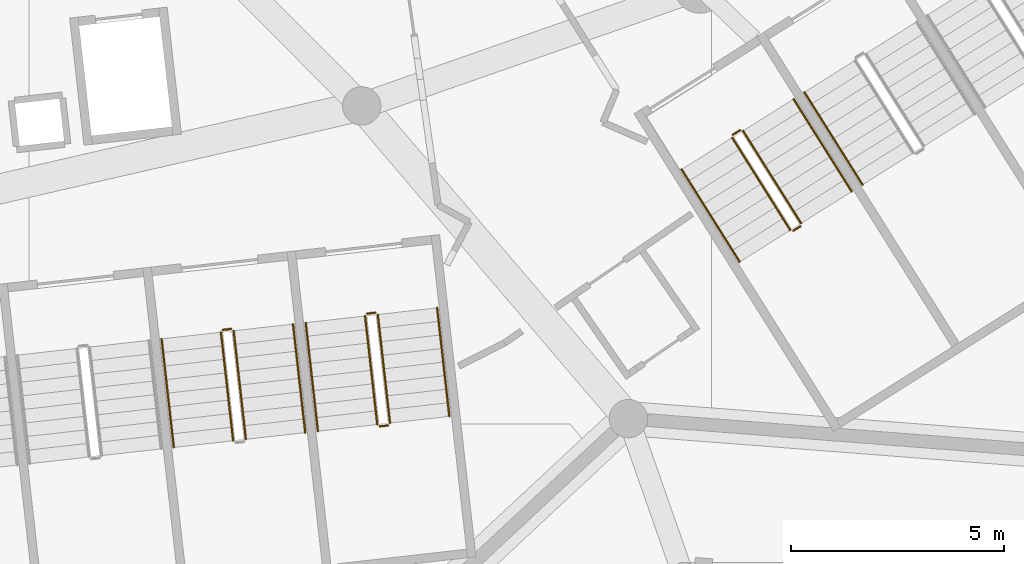
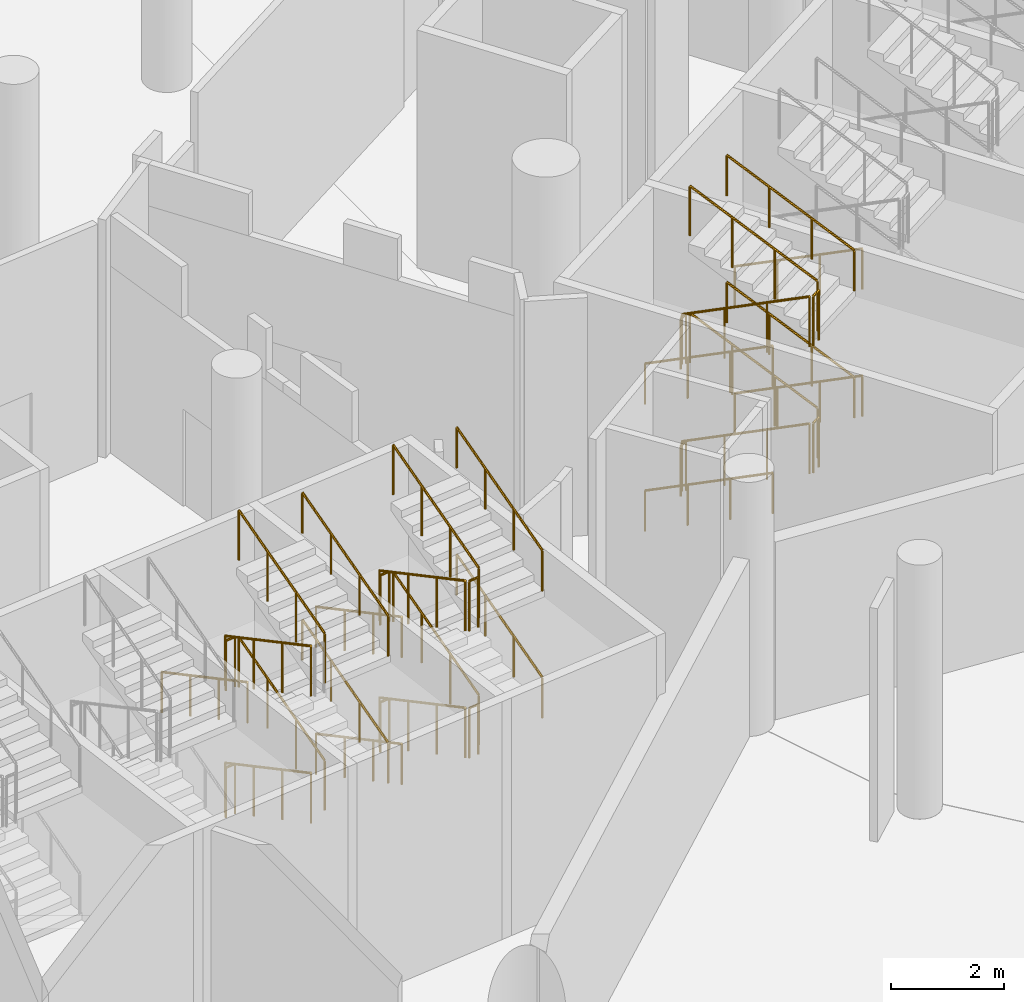
# One storey, part 239 of 271: 35 railings.
"""IFC4 building model written with IfcOpenShell, lengths in metres."""

import ifcopenshell
import ifcopenshell.guid

model = None  # the IFC model being written
_history = None  # IfcOwnerHistory: only IFC2X3 demands one
_inside = {}  # id of a spatial element -> (the spatial element, [elements in it])
_under = {}  # id of a project, library or spatial element -> (it, [spatial elements below it])
_declared = {}  # id of a project -> (the project, [libraries it declares])
_typed = {}  # id of a type object -> (the type object, [elements of that type])
_made_of = {}  # id of a material, layer set ... -> (it, [elements and type objects made of it])


def new_model(schema):
    """Start an empty IFC model of exactly this schema.

    Asked for "IFC4X3", IfcOpenShell would pick the latest addendum, in which some entities
    have other attributes; the version numbers below select the first issue.
    IFC2X3 requires an IfcOwnerHistory on every rooted entity: one is made here for all.
    """
    global model, _history
    if schema == "IFC4X3":
        model = ifcopenshell.file(schema_version=(4, 3, 0, 0))
    else:
        model = ifcopenshell.file(schema=schema)
    _inside.clear()
    _under.clear()
    _declared.clear()
    _typed.clear()
    _made_of.clear()
    _history = None
    if model.schema == "IFC2X3":
        org = make("IfcOrganization", Name="unknown")
        user = make(
            "IfcPersonAndOrganization",
            ThePerson=make("IfcPerson", FamilyName="unknown"),
            TheOrganization=org,
        )
        app = make(
            "IfcApplication",
            ApplicationDeveloper=org,
            Version="unknown",
            ApplicationFullName="unknown",
            ApplicationIdentifier="unknown",
        )
        _history = make(
            "IfcOwnerHistory",
            OwningUser=user,
            OwningApplication=app,
            ChangeAction="ADDED",
            CreationDate=0,
        )
    return model


def make(cls, **values):
    """One entity of the class cls with the attributes given. An attribute that is None is left unset."""
    return model.create_entity(
        cls, **{name: value for name, value in values.items() if value is not None}
    )


def rooted(cls, **values):
    """An entity with a GlobalId (a new one), such as an element, a storey or a relation."""
    return make(cls, GlobalId=ifcopenshell.guid.new(), OwnerHistory=_history, **values)


def si_unit(unit_type, name, prefix=None):
    """IfcSIUnit, for example si_unit("LENGTHUNIT", "METRE", prefix="MILLI")."""
    return make("IfcSIUnit", UnitType=unit_type, Prefix=prefix, Name=name)


def assignment(units):
    """IfcUnitAssignment: the units of a project."""
    return None if units is None else make("IfcUnitAssignment", Units=units)


def point(xyz):
    """IfcCartesianPoint."""
    return None if xyz is None else make("IfcCartesianPoint", Coordinates=xyz)


def direction(xyz):
    """IfcDirection."""
    return None if xyz is None else make("IfcDirection", DirectionRatios=xyz)


def frame(location, z_axis=None, x_axis=None):
    """IfcAxis2Placement3D, a coordinate frame: its origin and axes. An axis left out is left unset."""
    return make(
        "IfcAxis2Placement3D",
        Location=point(location),
        Axis=direction(z_axis),
        RefDirection=direction(x_axis),
    )


def frame_2d(location, x_axis=None):
    """IfcAxis2Placement2D, a coordinate frame in the plane: its origin and x axis."""
    return make(
        "IfcAxis2Placement2D", Location=point(location), RefDirection=direction(x_axis)
    )


def origin():
    """The frame at (0, 0, 0) with its axes left unset."""
    return frame((0.0, 0.0, 0.0))


def origin_2d():
    """The frame at (0, 0) in the plane with its x axis left unset."""
    return frame_2d((0.0, 0.0))


def place(relative_to, where):
    """IfcLocalPlacement: puts the frame where relative to a parent placement (None: the world)."""
    return make(
        "IfcLocalPlacement", PlacementRelTo=relative_to, RelativePlacement=where
    )


def context(
    kind, dimensions, precision=None, world=None, true_north=None, identifier=None
):
    """IfcGeometricRepresentationContext, for example the 3D "Model" context."""
    return make(
        "IfcGeometricRepresentationContext",
        ContextIdentifier=identifier,
        ContextType=kind,
        CoordinateSpaceDimension=dimensions,
        Precision=precision,
        WorldCoordinateSystem=world,
        TrueNorth=true_north,
    )


def subcontext(parent, identifier, kind, view, scale=None):
    """IfcGeometricRepresentationSubContext, for example "Body" below "Model"."""
    return make(
        "IfcGeometricRepresentationSubContext",
        ContextIdentifier=identifier,
        ContextType=kind,
        ParentContext=parent,
        TargetScale=scale,
        TargetView=view,
    )


def project(units=None, contexts=None):
    """IfcProject with its units and contexts."""
    return rooted(
        "IfcProject",
        Name="project",
        RepresentationContexts=contexts,
        UnitsInContext=assignment(units),
    )


def spatial(cls, under=None, at=None, **own):
    """A site, building, storey or space (cls), placed at a placement, below another one or the project."""
    s = rooted(cls, ObjectPlacement=at, **own)
    if under is not None:
        _under.setdefault(under.id(), (under, []))[1].append(s)
    return s


def profile(cls, at=None, kind="AREA", **sizes):
    """A parametric profile (cls). Its sizes go by their IFC names, for example OverallWidth=200.0."""
    return make(cls, ProfileType=kind, Position=at, **sizes)


def circle(**sizes):
    """IfcCircleProfileDef."""
    return profile("IfcCircleProfileDef", **sizes)


def extrude(swept, where, along, depth):
    """IfcExtrudedAreaSolid: the profile swept, set in the frame where, extruded along a direction by depth."""
    return make(
        "IfcExtrudedAreaSolid",
        SweptArea=swept,
        Position=where,
        ExtrudedDirection=direction(along),
        Depth=depth,
    )


def shape(context_of_items, identifier, shape_type, items):
    """IfcShapeRepresentation: the items that make up one representation, for example the "Body"."""
    return make(
        "IfcShapeRepresentation",
        ContextOfItems=context_of_items,
        RepresentationIdentifier=identifier,
        RepresentationType=shape_type,
        Items=items,
    )


def material(Name=None, Category=None):
    """IfcMaterial."""
    return make("IfcMaterial", Name=Name, Category=Category)


def made_of(thing, what):
    """Note that an element or type object is made of a material, layer set ...; save() writes the relation."""
    if what is not None:
        _made_of.setdefault(what.id(), (what, []))[1].append(thing)
    return thing


def type_object(cls, material=None, **own):
    """A type object (cls), such as IfcWallType, which elements share."""
    return made_of(rooted(cls, **own), material)


def element(
    cls,
    number,
    at=None,
    inside=None,
    cuts=None,
    type_object=None,
    material=None,
    context=None,
    identifier="Body",
    shape_type=None,
    held_by="IfcProductDefinitionShape",
    body=None,
    shapes=None,
    **own,
):
    """One element of the class cls, such as IfcWall. Its Tag is "e" and its number.

    at: its placement. inside: the storey or other place that contains it. cuts: it is an
    opening in that element (IfcRelVoidsElement). A single representation is given by context,
    identifier, shape_type and body (its items); several are given by shapes. held_by: the class
    of the entity that holds the representations. save() writes the other relations.
    """
    e = rooted(cls, Tag="e%d" % number, ObjectPlacement=at, **own)
    if body is not None:
        shapes = [shape(context, identifier, shape_type, body)]
    if shapes is not None:
        e.Representation = make(held_by, Representations=shapes)
    if inside is not None:
        _inside.setdefault(inside.id(), (inside, []))[1].append(e)
    if cuts is not None:
        rooted(
            "IfcRelVoidsElement", RelatingBuildingElement=cuts, RelatedOpeningElement=e
        )
    if type_object is not None:
        _typed.setdefault(type_object.id(), (type_object, []))[1].append(e)
    return made_of(e, material)


def aggregate(whole, parts):
    """IfcRelAggregates: a whole, such as a stair, and the parts it consists of."""
    return rooted("IfcRelAggregates", RelatingObject=whole, RelatedObjects=parts)


def save(model, path):
    """Write the relations noted so far, then the file.

    IfcRelAggregates (storeys below a building ...), IfcRelContainedInSpatialStructure (elements
    in a storey), IfcRelDefinesByType, IfcRelAssociatesMaterial and IfcRelDeclares: one each for
    every whole, place, type object, material and project.
    """
    for whole, parts in _under.values():
        aggregate(whole, parts)
    for where, things in _inside.values():
        rooted(
            "IfcRelContainedInSpatialStructure",
            RelatedElements=things,
            RelatingStructure=where,
        )
    for kind, things in _typed.values():
        rooted("IfcRelDefinesByType", RelatedObjects=things, RelatingType=kind)
    for what, things in _made_of.values():
        rooted("IfcRelAssociatesMaterial", RelatedObjects=things, RelatingMaterial=what)
    for by, libraries in _declared.values():
        rooted("IfcRelDeclares", RelatingContext=by, RelatedDefinitions=libraries)
    model.write(path)


model = new_model("IFC4")

# Units and contexts
model_context = context("Model", 3, precision=1e-05, world=origin(), true_north=direction((0.0, 1.0)))
body_context = subcontext(model_context, "Body", "Model", "MODEL_VIEW")
ifc_project = project(units=[si_unit("LENGTHUNIT", "METRE"), si_unit("AREAUNIT", "SQUARE_METRE"), si_unit("VOLUMEUNIT", "CUBIC_METRE"), si_unit("PLANEANGLEUNIT", "RADIAN"), si_unit("MASSUNIT", "GRAM", prefix="KILO")], contexts=[model_context])

# Site, building, storey
site_placement = place(None, origin())
site = spatial("IfcSite", under=ifc_project, at=site_placement, CompositionType="ELEMENT")
building_placement = place(site_placement, origin())
building = spatial("IfcBuilding", under=site, at=building_placement, Name="Meseta Stadium", CompositionType="ELEMENT")
storey_placement = place(building_placement, frame((0.0, 0.0, 6.5)))
storey = spatial("IfcBuildingStorey", under=building, at=storey_placement, Name="L01", CompositionType="ELEMENT", Elevation=6.5)

# Railings
ifc_material_1 = material(Name="Steel S355", Category="steel")
railing_type_1 = type_object("IfcRailingType", Name="Stair guard 1100", PredefinedType="GUARDRAIL", material=ifc_material_1)
railing_1_placement = place(storey_placement, frame((52.500244140625, -93.847900390625, 0.15283203125)))
element("IfcRailing", 1, at=railing_1_placement, inside=storey, type_object=railing_type_1, Name="ST103 L01 guard 1", PredefinedType="GUARDRAIL", context=body_context, shape_type="SweptSolid", body=[
    extrude(circle(Radius=0.02392578125, at=origin_2d()), frame((0.0, 0.0, 1.076171875), z_axis=(0.101036326981, -0.896761948158, 0.430824406188), x_axis=(0.993712761983, 0.111959576062, 0.0)), (0.0, 0.0, 1.0), 2.8369140625),
    extrude(circle(Radius=0.02099609375, at=origin_2d()), origin(), (0.0, 0.0, 1.0), 1.052001953125),
    extrude(circle(Radius=0.02099609375, at=origin_2d()), frame((0.095458984375, -0.847900390625, 0.407470703125)), (0.0, 0.0, 1.0), 1.052001953125),
    extrude(circle(Radius=0.02099609375, at=origin_2d()), frame((0.191162109375, -1.696044921875, 0.814697265625)), (0.0, 0.0, 1.0), 1.052001953125),
    extrude(circle(Radius=0.02099609375, at=origin_2d()), frame((0.28662109375, -2.5439453125, 1.22216796875)), (0.0, 0.0, 1.0), 1.052001953125),
])
railing_2_placement = place(storey_placement, frame((53.0849609375, -96.358154296875, 1.52783203125)))
element("IfcRailing", 2, at=railing_2_placement, inside=storey, type_object=railing_type_1, Name="ST103 L01 guard 3", PredefinedType="GUARDRAIL", context=body_context, shape_type="SweptSolid", body=[
    extrude(circle(Radius=0.02392578125, at=origin_2d()), frame((0.0, 0.0, 1.076171875), z_axis=(-0.101036326981, 0.896761948158, 0.430824406188), x_axis=(-0.993712761983, -0.111959576062, 0.0)), (0.0, 0.0, 1.0), 2.8369140625),
    extrude(circle(Radius=0.02099609375, at=origin_2d()), origin(), (0.0, 0.0, 1.0), 1.052001953125),
    extrude(circle(Radius=0.02099609375, at=origin_2d()), frame((-0.095458984375, 0.847900390625, 0.407470703125)), (0.0, 0.0, 1.0), 1.052001953125),
    extrude(circle(Radius=0.02099609375, at=origin_2d()), frame((-0.191162109375, 1.696044921875, 0.814697265625)), (0.0, 0.0, 1.0), 1.052001953125),
    extrude(circle(Radius=0.02099609375, at=origin_2d()), frame((-0.28662109375, 2.5439453125, 1.22216796875)), (0.0, 0.0, 1.0), 1.052001953125),
])
railing_3_placement = place(storey_placement, frame((52.54443359375, -93.792724609375, 2.75)))
element("IfcRailing", 3, at=railing_3_placement, inside=storey, type_object=railing_type_1, Name="ST103 L01 guard 4", PredefinedType="GUARDRAIL", context=body_context, shape_type="SweptSolid", body=[
    extrude(circle(Radius=0.02392578125, at=origin_2d()), frame((0.0, 0.0, 1.076171875), z_axis=(0.993673547442, 0.112307083986, 0.0), x_axis=(-0.112307083986, 0.993673547442, 0.0)), (0.0, 0.0, 1.0), 0.199951171875),
    extrude(circle(Radius=0.02099609375, at=origin_2d()), origin(), (0.0, 0.0, 1.0), 1.052001953125),
    extrude(circle(Radius=0.02099609375, at=origin_2d()), frame((0.19873046875, 0.0224609375, 0.0)), (0.0, 0.0, 1.0), 1.052001953125),
])
railing_4_placement = place(storey_placement, frame((52.500244140625, -93.847900390625, 2.90283203125)))
element("IfcRailing", 4, at=railing_4_placement, inside=storey, type_object=railing_type_1, Name="ST103 L01 guard 5", PredefinedType="GUARDRAIL", context=body_context, shape_type="SweptSolid", body=[
    extrude(circle(Radius=0.02392578125, at=origin_2d()), frame((0.0, 0.0, 1.076171875), z_axis=(0.101036326981, -0.896761948158, 0.430824406188), x_axis=(0.993712761983, 0.111959576062, 0.0)), (0.0, 0.0, 1.0), 2.8369140625),
    extrude(circle(Radius=0.02099609375, at=origin_2d()), origin(), (0.0, 0.0, 1.0), 1.052001953125),
    extrude(circle(Radius=0.02099609375, at=origin_2d()), frame((0.095458984375, -0.847900390625, 0.407470703125)), (0.0, 0.0, 1.0), 1.052001953125),
    extrude(circle(Radius=0.02099609375, at=origin_2d()), frame((0.191162109375, -1.696044921875, 0.814697265625)), (0.0, 0.0, 1.0), 1.052001953125),
    extrude(circle(Radius=0.02099609375, at=origin_2d()), frame((0.28662109375, -2.5439453125, 1.22216796875)), (0.0, 0.0, 1.0), 1.052001953125),
])
railing_5_placement = place(storey_placement, frame((53.0849609375, -96.358154296875, 4.27783203125)))
element("IfcRailing", 5, at=railing_5_placement, inside=storey, type_object=railing_type_1, Name="ST103 L01 guard 7", PredefinedType="GUARDRAIL", context=body_context, shape_type="SweptSolid", body=[
    extrude(circle(Radius=0.02392578125, at=origin_2d()), frame((0.0, 0.0, 1.076171875), z_axis=(-0.101036326981, 0.896761948158, 0.430824406188), x_axis=(-0.993712761983, -0.111959576062, 0.0)), (0.0, 0.0, 1.0), 2.8369140625),
    extrude(circle(Radius=0.02099609375, at=origin_2d()), origin(), (0.0, 0.0, 1.0), 1.052001953125),
    extrude(circle(Radius=0.02099609375, at=origin_2d()), frame((-0.095458984375, 0.847900390625, 0.407470703125)), (0.0, 0.0, 1.0), 1.052001953125),
    extrude(circle(Radius=0.02099609375, at=origin_2d()), frame((-0.191162109375, 1.696044921875, 0.814697265625)), (0.0, 0.0, 1.0), 1.052001953125),
    extrude(circle(Radius=0.02099609375, at=origin_2d()), frame((-0.28662109375, 2.5439453125, 1.22216796875)), (0.0, 0.0, 1.0), 1.052001953125),
])
railing_6_placement = place(storey_placement, frame((52.54443359375, -93.792724609375, 0.0)))
element("IfcRailing", 6, at=railing_6_placement, inside=storey, type_object=railing_type_1, Name="ST103 L01 guard 8", PredefinedType="GUARDRAIL", context=body_context, shape_type="SweptSolid", body=[
    extrude(circle(Radius=0.02392578125, at=origin_2d()), frame((0.0, 0.0, 1.076171875), z_axis=(0.993673547442, 0.112307083986, 0.0), x_axis=(-0.112307083986, 0.993673547442, 0.0)), (0.0, 0.0, 1.0), 0.199951171875),
    extrude(circle(Radius=0.02099609375, at=origin_2d()), origin(), (0.0, 0.0, 1.0), 1.052001953125),
    extrude(circle(Radius=0.02099609375, at=origin_2d()), frame((0.19873046875, 0.0224609375, 0.0)), (0.0, 0.0, 1.0), 1.052001953125),
])
railing_7_placement = place(storey_placement, frame((55.87890625, -93.46728515625, 0.15283203125)))
element("IfcRailing", 7, at=railing_7_placement, inside=storey, type_object=railing_type_1, Name="ST104 L01 guard 1", PredefinedType="GUARDRAIL", context=body_context, shape_type="SweptSolid", body=[
    extrude(circle(Radius=0.02392578125, at=origin_2d()), frame((0.0, 0.0, 1.076171875), z_axis=(0.101036326981, -0.896761948158, 0.430824406188), x_axis=(0.993712761983, 0.111959576062, 0.0)), (0.0, 0.0, 1.0), 2.8369140625),
    extrude(circle(Radius=0.02099609375, at=origin_2d()), origin(), (0.0, 0.0, 1.0), 1.052001953125),
    extrude(circle(Radius=0.02099609375, at=origin_2d()), frame((0.095458984375, -0.847900390625, 0.407470703125)), (0.0, 0.0, 1.0), 1.052001953125),
    extrude(circle(Radius=0.02099609375, at=origin_2d()), frame((0.191162109375, -1.696044921875, 0.814697265625)), (0.0, 0.0, 1.0), 1.052001953125),
    extrude(circle(Radius=0.02099609375, at=origin_2d()), frame((0.28662109375, -2.5439453125, 1.22216796875)), (0.0, 0.0, 1.0), 1.052001953125),
])
railing_8_placement = place(storey_placement, frame((56.220703125, -96.05517578125, 1.375)))
element("IfcRailing", 8, at=railing_8_placement, inside=storey, type_object=railing_type_1, Name="ST104 L01 guard 2", PredefinedType="GUARDRAIL", context=body_context, shape_type="SweptSolid", body=[
    extrude(circle(Radius=0.02392578125, at=origin_2d()), frame((0.0, 0.0, 1.076171875), z_axis=(0.993688916384, 0.112171018782, 0.0), x_axis=(-0.112171018782, 0.993688916384, 0.0)), (0.0, 0.0, 1.0), 0.2001953125),
    extrude(circle(Radius=0.02099609375, at=origin_2d()), origin(), (0.0, 0.0, 1.0), 1.052001953125),
    extrude(circle(Radius=0.02099609375, at=origin_2d()), frame((0.198974609375, 0.0224609375, 0.0)), (0.0, 0.0, 1.0), 1.052001953125),
])
railing_9_placement = place(storey_placement, frame((56.463623046875, -95.9775390625, 1.52783203125)))
element("IfcRailing", 9, at=railing_9_placement, inside=storey, type_object=railing_type_1, Name="ST104 L01 guard 3", PredefinedType="GUARDRAIL", context=body_context, shape_type="SweptSolid", body=[
    extrude(circle(Radius=0.02392578125, at=origin_2d()), frame((0.0, 0.0, 1.076171875), z_axis=(-0.101036326981, 0.896761948158, 0.430824406188), x_axis=(-0.993712761983, -0.111959576062, 0.0)), (0.0, 0.0, 1.0), 2.8369140625),
    extrude(circle(Radius=0.02099609375, at=origin_2d()), origin(), (0.0, 0.0, 1.0), 1.052001953125),
    extrude(circle(Radius=0.02099609375, at=origin_2d()), frame((-0.095458984375, 0.847900390625, 0.407470703125)), (0.0, 0.0, 1.0), 1.052001953125),
    extrude(circle(Radius=0.02099609375, at=origin_2d()), frame((-0.191162109375, 1.696044921875, 0.814697265625)), (0.0, 0.0, 1.0), 1.052001953125),
    extrude(circle(Radius=0.02099609375, at=origin_2d()), frame((-0.28662109375, 2.5439453125, 1.22216796875)), (0.0, 0.0, 1.0), 1.052001953125),
])
railing_10_placement = place(storey_placement, frame((55.923095703125, -93.411865234375, 2.75)))
element("IfcRailing", 10, at=railing_10_placement, inside=storey, type_object=railing_type_1, Name="ST104 L01 guard 4", PredefinedType="GUARDRAIL", context=body_context, shape_type="SweptSolid", body=[
    extrude(circle(Radius=0.02392578125, at=origin_2d()), frame((0.0, 0.0, 1.076171875), z_axis=(0.993809063983, 0.111101504696, 0.0), x_axis=(-0.111101504696, 0.993809063983, 0.0)), (0.0, 0.0, 1.0), 0.199951171875),
    extrude(circle(Radius=0.02099609375, at=origin_2d()), origin(), (0.0, 0.0, 1.0), 1.052001953125),
    extrude(circle(Radius=0.02099609375, at=origin_2d()), frame((0.19873046875, 0.022216796875, 0.0)), (0.0, 0.0, 1.0), 1.052001953125),
])
railing_11_placement = place(storey_placement, frame((55.87890625, -93.46728515625, 2.90283203125)))
element("IfcRailing", 11, at=railing_11_placement, inside=storey, type_object=railing_type_1, Name="ST104 L01 guard 5", PredefinedType="GUARDRAIL", context=body_context, shape_type="SweptSolid", body=[
    extrude(circle(Radius=0.02392578125, at=origin_2d()), frame((0.0, 0.0, 1.076171875), z_axis=(0.101036326981, -0.896761948158, 0.430824406188), x_axis=(0.993712761983, 0.111959576062, 0.0)), (0.0, 0.0, 1.0), 2.8369140625),
    extrude(circle(Radius=0.02099609375, at=origin_2d()), origin(), (0.0, 0.0, 1.0), 1.052001953125),
    extrude(circle(Radius=0.02099609375, at=origin_2d()), frame((0.095458984375, -0.847900390625, 0.407470703125)), (0.0, 0.0, 1.0), 1.052001953125),
    extrude(circle(Radius=0.02099609375, at=origin_2d()), frame((0.191162109375, -1.696044921875, 0.814697265625)), (0.0, 0.0, 1.0), 1.052001953125),
    extrude(circle(Radius=0.02099609375, at=origin_2d()), frame((0.28662109375, -2.5439453125, 1.22216796875)), (0.0, 0.0, 1.0), 1.052001953125),
])
railing_12_placement = place(storey_placement, frame((56.220703125, -96.05517578125, 4.125)))
element("IfcRailing", 12, at=railing_12_placement, inside=storey, type_object=railing_type_1, Name="ST104 L01 guard 6", PredefinedType="GUARDRAIL", context=body_context, shape_type="SweptSolid", body=[
    extrude(circle(Radius=0.02392578125, at=origin_2d()), frame((0.0, 0.0, 1.076171875), z_axis=(0.993688916384, 0.112171018782, 0.0), x_axis=(-0.112171018782, 0.993688916384, 0.0)), (0.0, 0.0, 1.0), 0.2001953125),
    extrude(circle(Radius=0.02099609375, at=origin_2d()), origin(), (0.0, 0.0, 1.0), 1.052001953125),
    extrude(circle(Radius=0.02099609375, at=origin_2d()), frame((0.198974609375, 0.0224609375, 0.0)), (0.0, 0.0, 1.0), 1.052001953125),
])
railing_13_placement = place(storey_placement, frame((56.463623046875, -95.9775390625, 4.27783203125)))
element("IfcRailing", 13, at=railing_13_placement, inside=storey, type_object=railing_type_1, Name="ST104 L01 guard 7", PredefinedType="GUARDRAIL", context=body_context, shape_type="SweptSolid", body=[
    extrude(circle(Radius=0.02392578125, at=origin_2d()), frame((0.0, 0.0, 1.076171875), z_axis=(-0.101036326981, 0.896761948158, 0.430824406188), x_axis=(-0.993712761983, -0.111959576062, 0.0)), (0.0, 0.0, 1.0), 2.8369140625),
    extrude(circle(Radius=0.02099609375, at=origin_2d()), origin(), (0.0, 0.0, 1.0), 1.052001953125),
    extrude(circle(Radius=0.02099609375, at=origin_2d()), frame((-0.095458984375, 0.847900390625, 0.407470703125)), (0.0, 0.0, 1.0), 1.052001953125),
    extrude(circle(Radius=0.02099609375, at=origin_2d()), frame((-0.191162109375, 1.696044921875, 0.814697265625)), (0.0, 0.0, 1.0), 1.052001953125),
    extrude(circle(Radius=0.02099609375, at=origin_2d()), frame((-0.28662109375, 2.5439453125, 1.22216796875)), (0.0, 0.0, 1.0), 1.052001953125),
])
railing_14_placement = place(storey_placement, frame((55.923095703125, -93.411865234375, 0.0)))
element("IfcRailing", 14, at=railing_14_placement, inside=storey, type_object=railing_type_1, Name="ST104 L01 guard 8", PredefinedType="GUARDRAIL", context=body_context, shape_type="SweptSolid", body=[
    extrude(circle(Radius=0.02392578125, at=origin_2d()), frame((0.0, 0.0, 1.076171875), z_axis=(0.993809063983, 0.111101504696, 0.0), x_axis=(-0.111101504696, 0.993809063983, 0.0)), (0.0, 0.0, 1.0), 0.199951171875),
    extrude(circle(Radius=0.02099609375, at=origin_2d()), origin(), (0.0, 0.0, 1.0), 1.052001953125),
    extrude(circle(Radius=0.02099609375, at=origin_2d()), frame((0.19873046875, 0.022216796875, 0.0)), (0.0, 0.0, 1.0), 1.052001953125),
])
railing_15_placement = place(storey_placement, frame((64.4853515625, -89.286865234375, 0.15283203125)))
element("IfcRailing", 15, at=railing_15_placement, inside=storey, type_object=railing_type_1, Name="ST105 L01 guard 1", PredefinedType="GUARDRAIL", context=body_context, shape_type="SweptSolid", body=[
    extrude(circle(Radius=0.02392578125, at=origin_2d()), frame((0.0, 0.0, 1.076171875), z_axis=(0.480058669713, -0.764152192252, 0.430830710036), x_axis=(0.846769111272, 0.53196059271, 0.0)), (0.0, 0.0, 1.0), 2.836669921875),
    extrude(circle(Radius=0.02099609375, at=origin_2d()), origin(), (0.0, 0.0, 1.0), 1.052001953125),
    extrude(circle(Radius=0.02099609375, at=origin_2d()), frame((0.453857421875, -0.72265625, 0.407470703125)), (0.0, 0.0, 1.0), 1.052001953125),
    extrude(circle(Radius=0.02099609375, at=origin_2d()), frame((0.907958984375, -1.445068359375, 0.814697265625)), (0.0, 0.0, 1.0), 1.052001953125),
    extrude(circle(Radius=0.02099609375, at=origin_2d()), frame((1.36181640625, -2.167724609375, 1.22216796875)), (0.0, 0.0, 1.0), 1.052001953125),
])
railing_16_placement = place(storey_placement, frame((65.916259765625, -91.47021484375, 1.375)))
element("IfcRailing", 16, at=railing_16_placement, inside=storey, type_object=railing_type_1, Name="ST105 L01 guard 2", PredefinedType="GUARDRAIL", context=body_context, shape_type="SweptSolid", body=[
    extrude(circle(Radius=0.02392578125, at=origin_2d()), frame((0.0, 0.0, 1.076171875), z_axis=(0.846966780732, 0.531645814745, 0.0), x_axis=(-0.531645814745, 0.846966780732, 0.0)), (0.0, 0.0, 1.0), 0.19970703125),
    extrude(circle(Radius=0.02099609375, at=origin_2d()), origin(), (0.0, 0.0, 1.0), 1.052001953125),
    extrude(circle(Radius=0.02099609375, at=origin_2d()), frame((0.169189453125, 0.106201171875, 0.0)), (0.0, 0.0, 1.0), 1.052001953125),
])
railing_17_placement = place(storey_placement, frame((66.101318359375, -91.294921875, 1.52783203125)))
element("IfcRailing", 17, at=railing_17_placement, inside=storey, type_object=railing_type_1, Name="ST105 L01 guard 3", PredefinedType="GUARDRAIL", context=body_context, shape_type="SweptSolid", body=[
    extrude(circle(Radius=0.02392578125, at=origin_2d()), frame((0.0, 0.0, 1.076171875), z_axis=(-0.480156468945, 0.764084805753, 0.430841241), x_axis=(-0.84669915639, -0.532071929883, 0.0)), (0.0, 0.0, 1.0), 2.836669921875),
    extrude(circle(Radius=0.02099609375, at=origin_2d()), origin(), (0.0, 0.0, 1.0), 1.052001953125),
    extrude(circle(Radius=0.02099609375, at=origin_2d()), frame((-0.4541015625, 0.722412109375, 0.407470703125)), (0.0, 0.0, 1.0), 1.052001953125),
    extrude(circle(Radius=0.02099609375, at=origin_2d()), frame((-0.907958984375, 1.445068359375, 0.814697265625)), (0.0, 0.0, 1.0), 1.052001953125),
    extrude(circle(Radius=0.02099609375, at=origin_2d()), frame((-1.362060546875, 2.16748046875, 1.22216796875)), (0.0, 0.0, 1.0), 1.052001953125),
])
railing_18_placement = place(storey_placement, frame((64.5009765625, -89.218017578125, 2.75)))
element("IfcRailing", 18, at=railing_18_placement, inside=storey, type_object=railing_type_1, Name="ST105 L01 guard 4", PredefinedType="GUARDRAIL", context=body_context, shape_type="SweptSolid", body=[
    extrude(circle(Radius=0.02392578125, at=origin_2d()), frame((0.0, 0.0, 1.076171875), z_axis=(0.846762178531, 0.531971628011, 0.0), x_axis=(-0.531971628011, 0.846762178531, 0.0)), (0.0, 0.0, 1.0), 0.2001953125),
    extrude(circle(Radius=0.02099609375, at=origin_2d()), origin(), (0.0, 0.0, 1.0), 1.052001953125),
    extrude(circle(Radius=0.02099609375, at=origin_2d()), frame((0.16943359375, 0.1064453125, 0.0)), (0.0, 0.0, 1.0), 1.052001953125),
])
railing_19_placement = place(storey_placement, frame((64.4853515625, -89.286865234375, 2.90283203125)))
element("IfcRailing", 19, at=railing_19_placement, inside=storey, type_object=railing_type_1, Name="ST105 L01 guard 5", PredefinedType="GUARDRAIL", context=body_context, shape_type="SweptSolid", body=[
    extrude(circle(Radius=0.02392578125, at=origin_2d()), frame((0.0, 0.0, 1.076171875), z_axis=(0.480058669713, -0.764152192252, 0.430830710036), x_axis=(0.846769111272, 0.53196059271, 0.0)), (0.0, 0.0, 1.0), 2.836669921875),
    extrude(circle(Radius=0.02099609375, at=origin_2d()), origin(), (0.0, 0.0, 1.0), 1.052001953125),
    extrude(circle(Radius=0.02099609375, at=origin_2d()), frame((0.453857421875, -0.72265625, 0.407470703125)), (0.0, 0.0, 1.0), 1.052001953125),
    extrude(circle(Radius=0.02099609375, at=origin_2d()), frame((0.907958984375, -1.445068359375, 0.814697265625)), (0.0, 0.0, 1.0), 1.052001953125),
    extrude(circle(Radius=0.02099609375, at=origin_2d()), frame((1.36181640625, -2.167724609375, 1.22216796875)), (0.0, 0.0, 1.0), 1.052001953125),
])
railing_20_placement = place(storey_placement, frame((65.916259765625, -91.47021484375, 4.125)))
element("IfcRailing", 20, at=railing_20_placement, inside=storey, type_object=railing_type_1, Name="ST105 L01 guard 6", PredefinedType="GUARDRAIL", context=body_context, shape_type="SweptSolid", body=[
    extrude(circle(Radius=0.02392578125, at=origin_2d()), frame((0.0, 0.0, 1.076171875), z_axis=(0.846966780732, 0.531645814745, 0.0), x_axis=(-0.531645814745, 0.846966780732, 0.0)), (0.0, 0.0, 1.0), 0.19970703125),
    extrude(circle(Radius=0.02099609375, at=origin_2d()), origin(), (0.0, 0.0, 1.0), 1.052001953125),
    extrude(circle(Radius=0.02099609375, at=origin_2d()), frame((0.169189453125, 0.106201171875, 0.0)), (0.0, 0.0, 1.0), 1.052001953125),
])
railing_21_placement = place(storey_placement, frame((66.101318359375, -91.294921875, 4.27783203125)))
element("IfcRailing", 21, at=railing_21_placement, inside=storey, type_object=railing_type_1, Name="ST105 L01 guard 7", PredefinedType="GUARDRAIL", context=body_context, shape_type="SweptSolid", body=[
    extrude(circle(Radius=0.02392578125, at=origin_2d()), frame((0.0, 0.0, 1.076171875), z_axis=(-0.480156468945, 0.764084805753, 0.430841241), x_axis=(-0.84669915639, -0.532071929883, 0.0)), (0.0, 0.0, 1.0), 2.836669921875),
    extrude(circle(Radius=0.02099609375, at=origin_2d()), origin(), (0.0, 0.0, 1.0), 1.052001953125),
    extrude(circle(Radius=0.02099609375, at=origin_2d()), frame((-0.4541015625, 0.722412109375, 0.407470703125)), (0.0, 0.0, 1.0), 1.052001953125),
    extrude(circle(Radius=0.02099609375, at=origin_2d()), frame((-0.907958984375, 1.445068359375, 0.814697265625)), (0.0, 0.0, 1.0), 1.052001953125),
    extrude(circle(Radius=0.02099609375, at=origin_2d()), frame((-1.362060546875, 2.16748046875, 1.22216796875)), (0.0, 0.0, 1.0), 1.052001953125),
])
railing_22_placement = place(storey_placement, frame((64.5009765625, -89.218017578125, 0.0)))
element("IfcRailing", 22, at=railing_22_placement, inside=storey, type_object=railing_type_1, Name="ST105 L01 guard 8", PredefinedType="GUARDRAIL", context=body_context, shape_type="SweptSolid", body=[
    extrude(circle(Radius=0.02392578125, at=origin_2d()), frame((0.0, 0.0, 1.076171875), z_axis=(0.846762178531, 0.531971628011, 0.0), x_axis=(-0.531971628011, 0.846762178531, 0.0)), (0.0, 0.0, 1.0), 0.2001953125),
    extrude(circle(Radius=0.02099609375, at=origin_2d()), origin(), (0.0, 0.0, 1.0), 1.052001953125),
    extrude(circle(Radius=0.02099609375, at=origin_2d()), frame((0.16943359375, 0.1064453125, 0.0)), (0.0, 0.0, 1.0), 1.052001953125),
])
ifc_material_2 = material(Name="Steel S355", Category="steel")
railing_type_2 = type_object("IfcRailingType", Name="Stair handrail 900", PredefinedType="HANDRAIL", material=ifc_material_2)
railing_23_placement = place(storey_placement, frame((54.476318359375, -96.201416015625, 1.52783203125)))
element("IfcRailing", 23, at=railing_23_placement, inside=storey, type_object=railing_type_2, Name="ST103 L01 handrail 2", PredefinedType="HANDRAIL", context=body_context, shape_type="SweptSolid", body=[
    extrude(circle(Radius=0.02392578125, at=origin_2d()), frame((0.0, 0.0, 0.8759765625), z_axis=(-0.101036326981, 0.896761948158, 0.430824406188), x_axis=(-0.993712761983, -0.111959576062, 0.0)), (0.0, 0.0, 1.0), 2.8369140625),
    extrude(circle(Radius=0.02099609375, at=origin_2d()), origin(), (0.0, 0.0, 1.0), 0.851806640625),
    extrude(circle(Radius=0.02099609375, at=origin_2d()), frame((-0.095458984375, 0.847900390625, 0.407470703125)), (0.0, 0.0, 1.0), 0.851806640625),
    extrude(circle(Radius=0.02099609375, at=origin_2d()), frame((-0.191162109375, 1.696044921875, 0.814697265625)), (0.0, 0.0, 1.0), 0.851806640625),
    extrude(circle(Radius=0.02099609375, at=origin_2d()), frame((-0.28662109375, 2.5439453125, 1.22216796875)), (0.0, 0.0, 1.0), 0.851806640625),
])
railing_24_placement = place(storey_placement, frame((51.109130859375, -94.004638671875, 2.90283203125)))
element("IfcRailing", 24, at=railing_24_placement, inside=storey, type_object=railing_type_2, Name="ST103 L01 handrail 3", PredefinedType="HANDRAIL", context=body_context, shape_type="SweptSolid", body=[
    extrude(circle(Radius=0.02392578125, at=origin_2d()), frame((0.0, 0.0, 0.8759765625), z_axis=(0.101036326981, -0.896761948158, 0.430824406188), x_axis=(0.993712761983, 0.111959576062, 0.0)), (0.0, 0.0, 1.0), 2.8369140625),
    extrude(circle(Radius=0.02099609375, at=origin_2d()), origin(), (0.0, 0.0, 1.0), 0.851806640625),
    extrude(circle(Radius=0.02099609375, at=origin_2d()), frame((0.095458984375, -0.847900390625, 0.407470703125)), (0.0, 0.0, 1.0), 0.851806640625),
    extrude(circle(Radius=0.02099609375, at=origin_2d()), frame((0.191162109375, -1.696044921875, 0.814697265625)), (0.0, 0.0, 1.0), 0.851806640625),
    extrude(circle(Radius=0.02099609375, at=origin_2d()), frame((0.28662109375, -2.5439453125, 1.22216796875)), (0.0, 0.0, 1.0), 0.851806640625),
])
railing_25_placement = place(storey_placement, frame((54.476318359375, -96.201416015625, 4.27783203125)))
element("IfcRailing", 25, at=railing_25_placement, inside=storey, type_object=railing_type_2, Name="ST103 L01 handrail 4", PredefinedType="HANDRAIL", context=body_context, shape_type="SweptSolid", body=[
    extrude(circle(Radius=0.02392578125, at=origin_2d()), frame((0.0, 0.0, 0.8759765625), z_axis=(-0.101036326981, 0.896761948158, 0.430824406188), x_axis=(-0.993712761983, -0.111959576062, 0.0)), (0.0, 0.0, 1.0), 2.8369140625),
    extrude(circle(Radius=0.02099609375, at=origin_2d()), origin(), (0.0, 0.0, 1.0), 0.851806640625),
    extrude(circle(Radius=0.02099609375, at=origin_2d()), frame((-0.095458984375, 0.847900390625, 0.407470703125)), (0.0, 0.0, 1.0), 0.851806640625),
    extrude(circle(Radius=0.02099609375, at=origin_2d()), frame((-0.191162109375, 1.696044921875, 0.814697265625)), (0.0, 0.0, 1.0), 0.851806640625),
    extrude(circle(Radius=0.02099609375, at=origin_2d()), frame((-0.28662109375, 2.5439453125, 1.22216796875)), (0.0, 0.0, 1.0), 0.851806640625),
])
railing_26_placement = place(storey_placement, frame((54.48779296875, -93.6240234375, 0.15283203125)))
element("IfcRailing", 26, at=railing_26_placement, inside=storey, type_object=railing_type_2, Name="ST104 L01 handrail 1", PredefinedType="HANDRAIL", context=body_context, shape_type="SweptSolid", body=[
    extrude(circle(Radius=0.02392578125, at=origin_2d()), frame((0.0, 0.0, 0.8759765625), z_axis=(0.101036326981, -0.896761948158, 0.430824406188), x_axis=(0.993712761983, 0.111959576062, 0.0)), (0.0, 0.0, 1.0), 2.8369140625),
    extrude(circle(Radius=0.02099609375, at=origin_2d()), origin(), (0.0, 0.0, 1.0), 0.851806640625),
    extrude(circle(Radius=0.02099609375, at=origin_2d()), frame((0.095458984375, -0.847900390625, 0.407470703125)), (0.0, 0.0, 1.0), 0.851806640625),
    extrude(circle(Radius=0.02099609375, at=origin_2d()), frame((0.191162109375, -1.696044921875, 0.814697265625)), (0.0, 0.0, 1.0), 0.851806640625),
    extrude(circle(Radius=0.02099609375, at=origin_2d()), frame((0.28662109375, -2.5439453125, 1.22216796875)), (0.0, 0.0, 1.0), 0.851806640625),
])
railing_27_placement = place(storey_placement, frame((57.854736328125, -95.82080078125, 1.52783203125)))
element("IfcRailing", 27, at=railing_27_placement, inside=storey, type_object=railing_type_2, Name="ST104 L01 handrail 2", PredefinedType="HANDRAIL", context=body_context, shape_type="SweptSolid", body=[
    extrude(circle(Radius=0.02392578125, at=origin_2d()), frame((0.0, 0.0, 0.8759765625), z_axis=(-0.101036326981, 0.896761948158, 0.430824406188), x_axis=(-0.993712761983, -0.111959576062, 0.0)), (0.0, 0.0, 1.0), 2.8369140625),
    extrude(circle(Radius=0.02099609375, at=origin_2d()), origin(), (0.0, 0.0, 1.0), 0.851806640625),
    extrude(circle(Radius=0.02099609375, at=origin_2d()), frame((-0.095458984375, 0.847900390625, 0.407470703125)), (0.0, 0.0, 1.0), 0.851806640625),
    extrude(circle(Radius=0.02099609375, at=origin_2d()), frame((-0.191162109375, 1.696044921875, 0.814697265625)), (0.0, 0.0, 1.0), 0.851806640625),
    extrude(circle(Radius=0.02099609375, at=origin_2d()), frame((-0.28662109375, 2.5439453125, 1.22216796875)), (0.0, 0.0, 1.0), 0.851806640625),
])
railing_28_placement = place(storey_placement, frame((54.48779296875, -93.6240234375, 2.90283203125)))
element("IfcRailing", 28, at=railing_28_placement, inside=storey, type_object=railing_type_2, Name="ST104 L01 handrail 3", PredefinedType="HANDRAIL", context=body_context, shape_type="SweptSolid", body=[
    extrude(circle(Radius=0.02392578125, at=origin_2d()), frame((0.0, 0.0, 0.8759765625), z_axis=(0.101036326981, -0.896761948158, 0.430824406188), x_axis=(0.993712761983, 0.111959576062, 0.0)), (0.0, 0.0, 1.0), 2.8369140625),
    extrude(circle(Radius=0.02099609375, at=origin_2d()), origin(), (0.0, 0.0, 1.0), 0.851806640625),
    extrude(circle(Radius=0.02099609375, at=origin_2d()), frame((0.095458984375, -0.847900390625, 0.407470703125)), (0.0, 0.0, 1.0), 0.851806640625),
    extrude(circle(Radius=0.02099609375, at=origin_2d()), frame((0.191162109375, -1.696044921875, 0.814697265625)), (0.0, 0.0, 1.0), 0.851806640625),
    extrude(circle(Radius=0.02099609375, at=origin_2d()), frame((0.28662109375, -2.5439453125, 1.22216796875)), (0.0, 0.0, 1.0), 0.851806640625),
])
railing_29_placement = place(storey_placement, frame((57.854736328125, -95.82080078125, 4.27783203125)))
element("IfcRailing", 29, at=railing_29_placement, inside=storey, type_object=railing_type_2, Name="ST104 L01 handrail 4", PredefinedType="HANDRAIL", context=body_context, shape_type="SweptSolid", body=[
    extrude(circle(Radius=0.02392578125, at=origin_2d()), frame((0.0, 0.0, 0.8759765625), z_axis=(-0.101036326981, 0.896761948158, 0.430824406188), x_axis=(-0.993712761983, -0.111959576062, 0.0)), (0.0, 0.0, 1.0), 2.8369140625),
    extrude(circle(Radius=0.02099609375, at=origin_2d()), origin(), (0.0, 0.0, 1.0), 0.851806640625),
    extrude(circle(Radius=0.02099609375, at=origin_2d()), frame((-0.095458984375, 0.847900390625, 0.407470703125)), (0.0, 0.0, 1.0), 0.851806640625),
    extrude(circle(Radius=0.02099609375, at=origin_2d()), frame((-0.191162109375, 1.696044921875, 0.814697265625)), (0.0, 0.0, 1.0), 0.851806640625),
    extrude(circle(Radius=0.02099609375, at=origin_2d()), frame((-0.28662109375, 2.5439453125, 1.22216796875)), (0.0, 0.0, 1.0), 0.851806640625),
])
railing_30_placement = place(storey_placement, frame((63.2998046875, -90.03173828125, 0.15283203125)))
element("IfcRailing", 30, at=railing_30_placement, inside=storey, type_object=railing_type_2, Name="ST105 L01 handrail 1", PredefinedType="HANDRAIL", context=body_context, shape_type="SweptSolid", body=[
    extrude(circle(Radius=0.02392578125, at=origin_2d()), frame((0.0, 0.0, 0.8759765625), z_axis=(0.480124894743, -0.764120620259, 0.430812909676), x_axis=(0.846726152555, 0.532028967801, 0.0)), (0.0, 0.0, 1.0), 2.8369140625),
    extrude(circle(Radius=0.02099609375, at=origin_2d()), origin(), (0.0, 0.0, 1.0), 0.851806640625),
    extrude(circle(Radius=0.02099609375, at=origin_2d()), frame((0.4541015625, -0.72265625, 0.407470703125)), (0.0, 0.0, 1.0), 0.851806640625),
    extrude(circle(Radius=0.02099609375, at=origin_2d()), frame((0.907958984375, -1.445068359375, 0.814697265625)), (0.0, 0.0, 1.0), 0.851806640625),
    extrude(circle(Radius=0.02099609375, at=origin_2d()), frame((1.362060546875, -2.167724609375, 1.22216796875)), (0.0, 0.0, 1.0), 0.851806640625),
])
railing_31_placement = place(storey_placement, frame((67.28662109375, -90.550048828125, 1.52783203125)))
element("IfcRailing", 31, at=railing_31_placement, inside=storey, type_object=railing_type_2, Name="ST105 L01 handrail 2", PredefinedType="HANDRAIL", context=body_context, shape_type="SweptSolid", body=[
    extrude(circle(Radius=0.02392578125, at=origin_2d()), frame((0.0, 0.0, 0.8759765625), z_axis=(-0.480090242169, 0.764116380419, 0.430859044873), x_axis=(-0.846742120675, -0.53200355363, 0.0)), (0.0, 0.0, 1.0), 2.836669921875),
    extrude(circle(Radius=0.02099609375, at=origin_2d()), origin(), (0.0, 0.0, 1.0), 0.851806640625),
    extrude(circle(Radius=0.02099609375, at=origin_2d()), frame((-0.453857421875, 0.722412109375, 0.407470703125)), (0.0, 0.0, 1.0), 0.851806640625),
    extrude(circle(Radius=0.02099609375, at=origin_2d()), frame((-0.907958984375, 1.445068359375, 0.814697265625)), (0.0, 0.0, 1.0), 0.851806640625),
    extrude(circle(Radius=0.02099609375, at=origin_2d()), frame((-1.36181640625, 2.16748046875, 1.22216796875)), (0.0, 0.0, 1.0), 0.851806640625),
])
railing_32_placement = place(storey_placement, frame((63.2998046875, -90.03173828125, 2.90283203125)))
element("IfcRailing", 32, at=railing_32_placement, inside=storey, type_object=railing_type_2, Name="ST105 L01 handrail 3", PredefinedType="HANDRAIL", context=body_context, shape_type="SweptSolid", body=[
    extrude(circle(Radius=0.02392578125, at=origin_2d()), frame((0.0, 0.0, 0.8759765625), z_axis=(0.480124894743, -0.764120620259, 0.430812909676), x_axis=(0.846726152555, 0.532028967801, 0.0)), (0.0, 0.0, 1.0), 2.8369140625),
    extrude(circle(Radius=0.02099609375, at=origin_2d()), origin(), (0.0, 0.0, 1.0), 0.851806640625),
    extrude(circle(Radius=0.02099609375, at=origin_2d()), frame((0.4541015625, -0.72265625, 0.407470703125)), (0.0, 0.0, 1.0), 0.851806640625),
    extrude(circle(Radius=0.02099609375, at=origin_2d()), frame((0.907958984375, -1.445068359375, 0.814697265625)), (0.0, 0.0, 1.0), 0.851806640625),
    extrude(circle(Radius=0.02099609375, at=origin_2d()), frame((1.362060546875, -2.167724609375, 1.22216796875)), (0.0, 0.0, 1.0), 0.851806640625),
])
railing_33_placement = place(storey_placement, frame((67.28662109375, -90.550048828125, 4.27783203125)))
element("IfcRailing", 33, at=railing_33_placement, inside=storey, type_object=railing_type_2, Name="ST105 L01 handrail 4", PredefinedType="HANDRAIL", context=body_context, shape_type="SweptSolid", body=[
    extrude(circle(Radius=0.02392578125, at=origin_2d()), frame((0.0, 0.0, 0.8759765625), z_axis=(-0.480090242169, 0.764116380419, 0.430859044873), x_axis=(-0.846742120675, -0.53200355363, 0.0)), (0.0, 0.0, 1.0), 2.836669921875),
    extrude(circle(Radius=0.02099609375, at=origin_2d()), origin(), (0.0, 0.0, 1.0), 0.851806640625),
    extrude(circle(Radius=0.02099609375, at=origin_2d()), frame((-0.453857421875, 0.722412109375, 0.407470703125)), (0.0, 0.0, 1.0), 0.851806640625),
    extrude(circle(Radius=0.02099609375, at=origin_2d()), frame((-0.907958984375, 1.445068359375, 0.814697265625)), (0.0, 0.0, 1.0), 0.851806640625),
    extrude(circle(Radius=0.02099609375, at=origin_2d()), frame((-1.36181640625, 2.16748046875, 1.22216796875)), (0.0, 0.0, 1.0), 0.851806640625),
])
for number, where, name in (
    (34, (66.1787109375, -88.222900390625, 0.15283203125), "ST106 L01 handrail 1"),
    (35, (66.1787109375, -88.222900390625, 2.90283203125), "ST106 L01 handrail 3"),
):
    element("IfcRailing", number, at=place(storey_placement, frame(where)), inside=storey, type_object=railing_type_2, Name=name, PredefinedType="HANDRAIL", context=body_context, shape_type="SweptSolid", body=[
        extrude(circle(Radius=0.02392578125, at=origin_2d()), frame((0.0, 0.0, 0.8759765625), z_axis=(0.480124894743, -0.764120620259, 0.430812909676), x_axis=(0.846726152555, 0.532028967801, 0.0)), (0.0, 0.0, 1.0), 2.8369140625),
        extrude(circle(Radius=0.02099609375, at=origin_2d()), origin(), (0.0, 0.0, 1.0), 0.851806640625),
        extrude(circle(Radius=0.02099609375, at=origin_2d()), frame((0.4541015625, -0.72265625, 0.407470703125)), (0.0, 0.0, 1.0), 0.851806640625),
        extrude(circle(Radius=0.02099609375, at=origin_2d()), frame((0.907958984375, -1.445068359375, 0.814697265625)), (0.0, 0.0, 1.0), 0.851806640625),
        extrude(circle(Radius=0.02099609375, at=origin_2d()), frame((1.362060546875, -2.167724609375, 1.22216796875)), (0.0, 0.0, 1.0), 0.851806640625),
    ])

save(model, "model.ifc")
